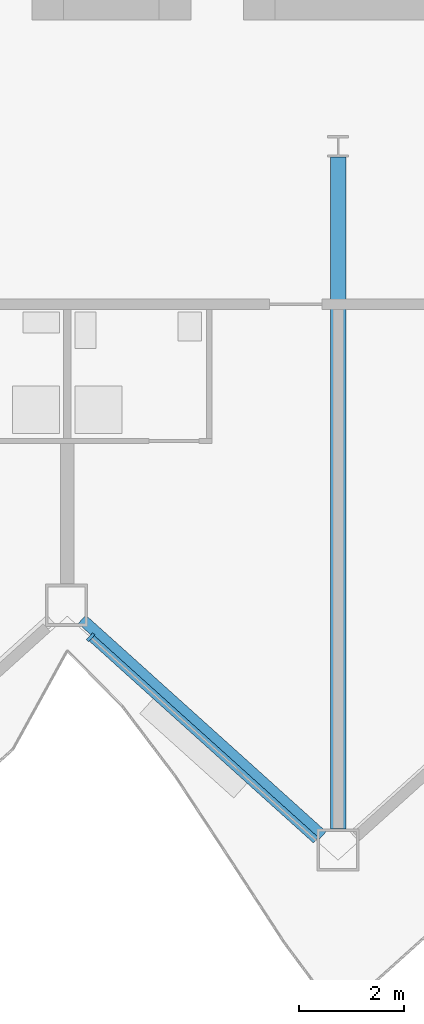
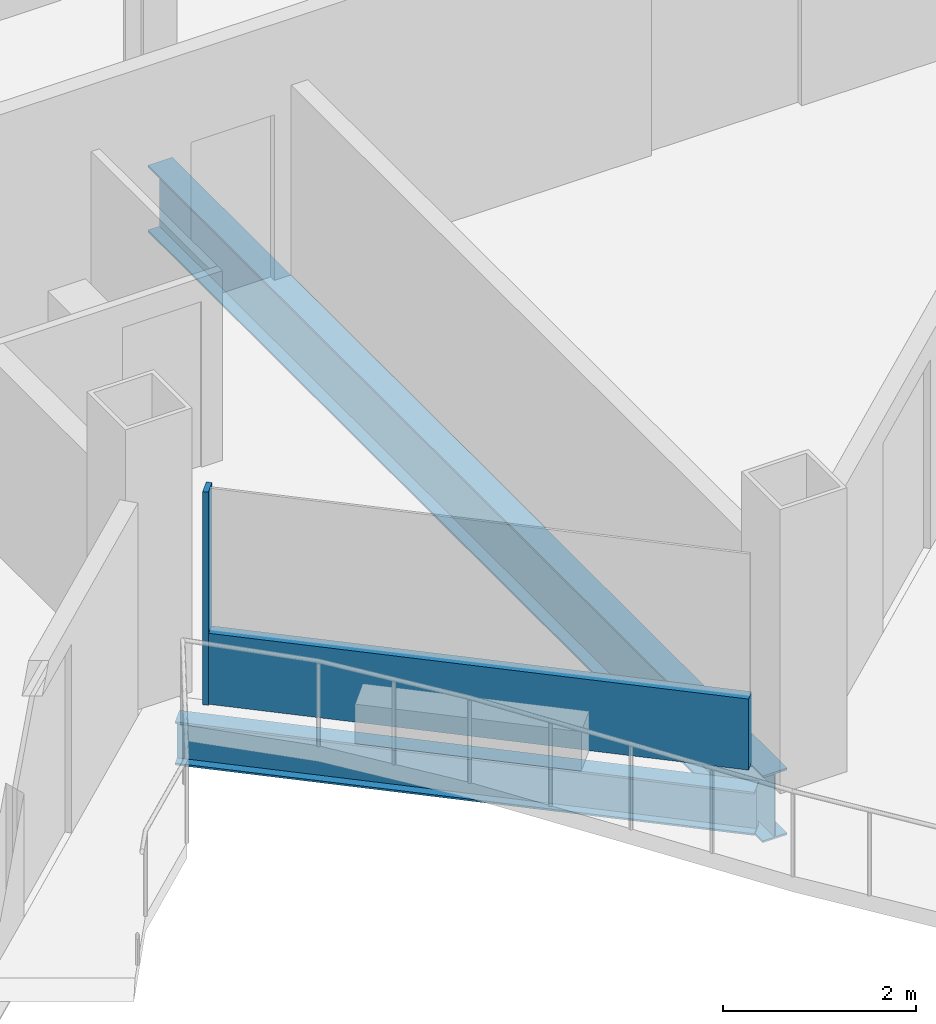
# One storey, part 4 of 24: 2 beams, 2 members, 1 element without a shape of its own.
"""IFC4 building model written with IfcOpenShell, lengths in metres."""

from ifc_helpers import new_model, si_unit, direction, frame, origin, origin_2d, place, context, subcontext, project, spatial, rectangle, i_section, extrude, material, layer, layer_set, material_profile, profile_set, type_object, element, aggregate, save


model = new_model("IFC4")

# Units and contexts
model_context = context("Model", 3, precision=1e-05, world=origin(), true_north=direction((0.0, 1.0)))
body_context = subcontext(model_context, "Body", "Model", "MODEL_VIEW")
ifc_project = project(units=[si_unit("LENGTHUNIT", "METRE"), si_unit("AREAUNIT", "SQUARE_METRE"), si_unit("VOLUMEUNIT", "CUBIC_METRE"), si_unit("PLANEANGLEUNIT", "RADIAN"), si_unit("MASSUNIT", "GRAM", prefix="KILO")], contexts=[model_context])

# Site, building, storey
site_placement = place(None, origin())
site = spatial("IfcSite", under=ifc_project, at=site_placement, CompositionType="ELEMENT")
building_placement = place(site_placement, origin())
building = spatial("IfcBuilding", under=site, at=building_placement, Name="Cormorant Prow Tower", CompositionType="ELEMENT")
storey_placement = place(building_placement, frame((0.0, 0.0, 205.199951171875)))
storey = spatial("IfcBuildingStorey", under=building, at=storey_placement, Name="L45", CompositionType="ELEMENT", Elevation=205.199951171875)

# Curtain wall, members
ifc_material_1 = material(Name="Aluminium 6063-T6", Category="aluminium")
ifc_layer = layer(ifc_material_1, 0.179931640625)
ifc_layer_set = layer_set([ifc_layer], Name="Aluminium 6063-T6")
curtain_wall_type = type_object("IfcCurtainWallType", Name="Hotel unitised curtain wall 180", PredefinedType="NOTDEFINED", material=ifc_layer_set)
curtain_wall_placement = place(storey_placement, origin())
curtain_wall = element("IfcCurtainWall", 1, at=curtain_wall_placement, inside=storey, type_object=curtain_wall_type, Name="Hotel curtain wall S04", PredefinedType="NOTDEFINED")
ifc_material_2 = material(Name="Aluminium 6063-T6", Category="aluminium")
ifc_material_profile_1 = material_profile(ifc_material_2, rectangle(XDim=0.179931640625, YDim=0.06005859375, at=origin_2d()), Name="Hotel mullion 60x180")
ifc_profile_set_1 = profile_set([ifc_material_profile_1], Name="Aluminium 6063-T6")
member_type_1 = type_object("IfcMemberType", Name="Hotel mullion 60x180", PredefinedType="MULLION", material=ifc_profile_set_1)
member_1_placement = place(storey_placement, frame((-4.70361328125, -20.68017578125, 0.0), z_axis=(0.0, 0.0, 1.0), x_axis=(0.669130667631, 0.743144770308, 0.0)))
member_1 = element("IfcMember", 2, at=member_1_placement, type_object=member_type_1, Name="Hotel mullion S04", PredefinedType="MULLION", context=body_context, shape_type="SweptSolid", body=[
    extrude(rectangle(XDim=0.179931640625, YDim=0.06005859375, at=origin_2d()), origin(), (0.0, 0.0, 1.0), 2.700927734375),
])
ifc_material_3 = material(Name="Terracotta", Category="masonry")
ifc_material_profile_2 = material_profile(ifc_material_3, rectangle(XDim=0.139892578125, YDim=0.89990234375, at=origin_2d()), Name="Hotel terracotta spandrel rail 140x900")
ifc_profile_set_2 = profile_set([ifc_material_profile_2], Name="Terracotta")
member_type_2 = type_object("IfcMemberType", Name="Hotel terracotta spandrel rail 140x900", PredefinedType="USERDEFINED", material=ifc_profile_set_2)
member_2_placement = place(storey_placement, frame((-4.681396484375, -20.7001953125, 0.449951171875), z_axis=(0.743154335217, -0.669120044572, 0.0), x_axis=(0.669120044572, 0.743154335217, 0.0)))
member_2 = element("IfcMember", 3, at=member_2_placement, type_object=member_type_2, Name="Hotel spandrel rail S04", ObjectType="TRANSOM", PredefinedType="USERDEFINED", context=body_context, shape_type="SweptSolid", body=[
    extrude(rectangle(XDim=0.139892578125, YDim=0.89990234375, at=origin_2d()), origin(), (0.0, 0.0, 1.0), 5.7314453125),
])
aggregate(curtain_wall, [member_1, member_2])

# Beams
ifc_material_4 = material(Name="Structural steel ASTM A992 Gr 50", Category="steel")
ifc_material_profile_3 = material_profile(ifc_material_4, i_section(OverallWidth=0.29296875, OverallDepth=0.845703125, WebThickness=0.015380859375, FlangeThickness=0.0244140625, at=origin_2d()), Name="W33x141")
ifc_profile_set_3 = profile_set([ifc_material_profile_3], Name="Structural steel ASTM A992 Gr 50")
beam_type_1 = type_object("IfcBeamType", Name="Radial floor beam W33x141", PredefinedType="BEAM", material=ifc_profile_set_3)
beam_1_placement = place(storey_placement, frame((0.0, -11.552734375, -0.77294921875), z_axis=(0.0, -1.0, 0.0), x_axis=(1.0, 0.0, 0.0)))
element("IfcBeam", 4, at=beam_1_placement, inside=storey, type_object=beam_type_1, Name="Radial floor beam FB2 7 L45", PredefinedType="BEAM", context=body_context, shape_type="SweptSolid", body=[
    extrude(i_section(OverallWidth=0.29296875, OverallDepth=0.845703125, WebThickness=0.015380859375, FlangeThickness=0.0244140625, at=origin_2d()), origin(), (0.0, 0.0, 1.0), 12.768798828125),
])
ifc_material_5 = material(Name="Structural steel ASTM A992 Gr 50", Category="steel")
ifc_material_profile_4 = material_profile(ifc_material_5, i_section(OverallWidth=0.2138671875, OverallDepth=0.549072265625, WebThickness=0.0146484375, FlangeThickness=0.023681640625, at=origin_2d()), Name="W21x93")
ifc_profile_set_4 = profile_set([ifc_material_profile_4], Name="Structural steel ASTM A992 Gr 50")
beam_type_2 = type_object("IfcBeamType", Name="Spandrel beam W21x93", PredefinedType="SPANDREL", material=ifc_profile_set_4)
beam_2_placement = place(storey_placement, frame((-4.867431640625, -20.3388671875, -0.62451171875), z_axis=(0.743138178716, -0.669137988261, 0.0), x_axis=(0.669137988261, 0.743138178716, 0.0)))
element("IfcBeam", 5, at=beam_2_placement, inside=storey, type_object=beam_type_2, Name="Spandrel beam SB2 S04-S05 L45", PredefinedType="SPANDREL", context=body_context, shape_type="SweptSolid", body=[
    extrude(i_section(OverallWidth=0.2138671875, OverallDepth=0.549072265625, WebThickness=0.0146484375, FlangeThickness=0.023681640625, at=origin_2d()), origin(), (0.0, 0.0, 1.0), 6.149658203125),
])

save(model, "model.ifc")
